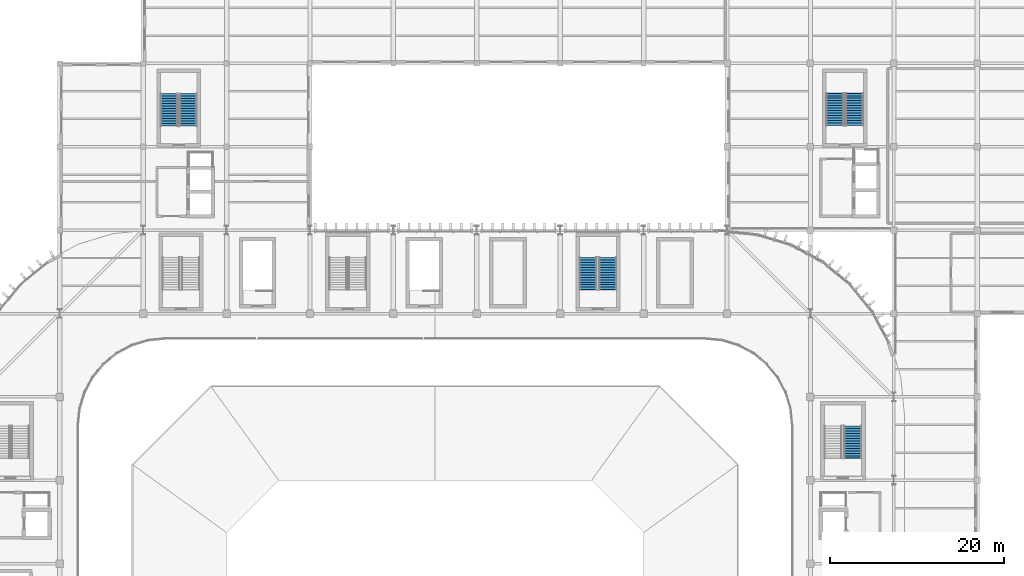
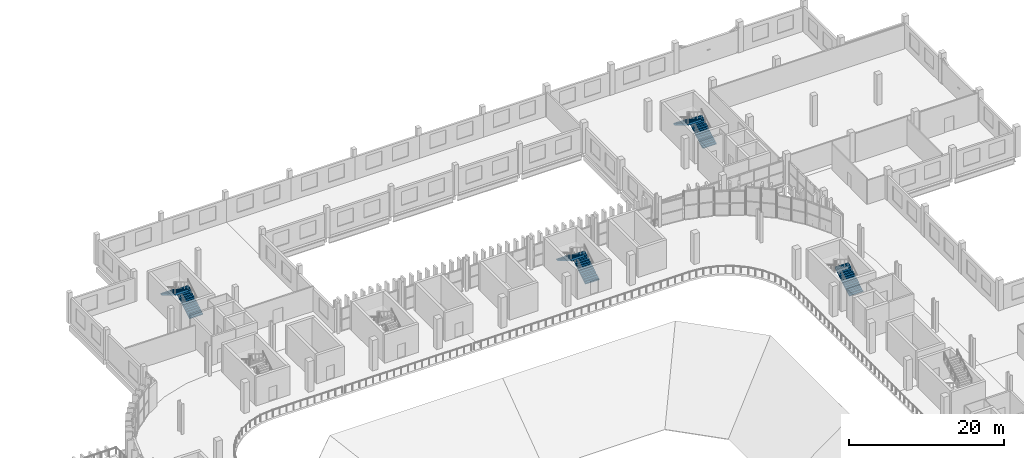
# One storey, part 71 of 99: 7 stair flights, 4 elements without a shape of their own.
"""IFC4 building model written with IfcOpenShell, lengths in metres."""

from ifc_helpers import new_model, si_unit, direction, frame, origin, place, context, subcontext, project, spatial, polyline, outline, extrude, material, type_object, element, aggregate, save


model = new_model("IFC4")

# Units and contexts
model_context = context("Model", 3, precision=1e-05, world=origin(), true_north=direction((0.0, 1.0)))
body_context = subcontext(model_context, "Body", "Model", "MODEL_VIEW")
ifc_project = project(units=[si_unit("LENGTHUNIT", "METRE"), si_unit("AREAUNIT", "SQUARE_METRE"), si_unit("VOLUMEUNIT", "CUBIC_METRE"), si_unit("PLANEANGLEUNIT", "RADIAN"), si_unit("MASSUNIT", "GRAM", prefix="KILO")], contexts=[model_context])

# Site, building, storey
site_placement = place(None, origin())
site = spatial("IfcSite", under=ifc_project, at=site_placement, CompositionType="ELEMENT")
building_placement = place(site_placement, origin())
building = spatial("IfcBuilding", under=site, at=building_placement, Name="Caelomonte Colonnade Arena", CompositionType="ELEMENT")
storey_placement = place(building_placement, frame((0.0, 0.0, 4.800048828125)))
storey = spatial("IfcBuildingStorey", under=building, at=storey_placement, Name="L01", CompositionType="ELEMENT", Elevation=4.800048828125)

# Stair, stair flights
ifc_material = material(Name="Concrete C40/50", Category="concrete")
stair_type_1 = type_object("IfcStairType", Name="INT-ST-CORE48", PredefinedType="HALF_TURN_STAIR", material=ifc_material)
stair_1_placement = place(storey_placement, origin())
stair_1 = element("IfcStair", 1, at=stair_1_placement, inside=storey, type_object=stair_type_1, Name="L01 Protected exit stair ST-16", PredefinedType="HALF_TURN_STAIR")
stair_flight_type_1 = type_object("IfcStairFlightType", Name="INT-SF-CORE48", PredefinedType="STRAIGHT", material=ifc_material)
stair_flight_1_placement = place(storey_placement, frame((130.27490234375, 108.35009765625, 0.0), z_axis=(0.0, 0.0, 1.0), x_axis=(0.0, 1.0, 0.0)))
stair_flight_1 = element("IfcStairFlight", 2, at=stair_flight_1_placement, type_object=stair_flight_type_1, Name="ST-16 flight 1", NumberOfRisers=14, NumberOfTreads=13, PredefinedType="STRAIGHT", RiserHeight=0.171428571, TreadLength=0.285, context=body_context, shape_type="SweptSolid", body=[
    extrude(outline(polyline([(-0.02490234375, 0.0), (-0.02490234375, 0.102783203125), (0.0, 0.102783203125), (0.0, 0.17138671875), (0.284912109375, 0.17138671875), (0.284912109375, 0.3427734375), (0.570068359375, 0.3427734375), (0.570068359375, 0.514404296875), (0.85498046875, 0.514404296875), (0.85498046875, 0.685791015625), (1.139892578125, 0.685791015625), (1.139892578125, 0.857177734375), (1.425048828125, 0.857177734375), (1.425048828125, 1.028564453125), (1.7099609375, 1.028564453125), (1.7099609375, 1.199951171875), (1.9951171875, 1.199951171875), (1.9951171875, 1.371337890625), (2.280029296875, 1.371337890625), (2.280029296875, 1.54296875), (2.56494140625, 1.54296875), (2.56494140625, 1.71435546875), (2.85009765625, 1.71435546875), (2.85009765625, 1.8857421875), (3.135009765625, 1.8857421875), (3.135009765625, 2.05712890625), (3.419921875, 2.05712890625), (3.419921875, 2.228515625), (3.705078125, 2.228515625), (3.705078125, 2.39990234375), (3.72998046875, 2.39990234375), (3.72998046875, 2.0537109375), (0.290771484375, 0.0), (-0.02490234375, 0.0)])), frame((0.0, 1.02490234375, 0.0), z_axis=(0.0, -1.0, 0.0), x_axis=(1.0, 0.0, 0.0)), (0.0, 0.0, 1.0), 2.050048828125),
])
stair_flight_2_placement = place(storey_placement, frame((128.02490234375, 112.054931640625, 2.39990234375), z_axis=(0.0, 0.0, 1.0), x_axis=(0.0, -1.0, 0.0)))
stair_flight_2 = element("IfcStairFlight", 3, at=stair_flight_2_placement, type_object=stair_flight_type_1, Name="ST-16 flight 2", NumberOfRisers=14, NumberOfTreads=13, PredefinedType="STRAIGHT", RiserHeight=0.171428571, TreadLength=0.285, context=body_context, shape_type="SweptSolid", body=[
    extrude(outline(polyline([(-0.02490234375, 0.0), (-0.02490234375, 0.102783203125), (0.0, 0.102783203125), (0.0, 0.17138671875), (0.284912109375, 0.17138671875), (0.284912109375, 0.3427734375), (0.570068359375, 0.3427734375), (0.570068359375, 0.514404296875), (0.85498046875, 0.514404296875), (0.85498046875, 0.685791015625), (1.139892578125, 0.685791015625), (1.139892578125, 0.857177734375), (1.425048828125, 0.857177734375), (1.425048828125, 1.028564453125), (1.7099609375, 1.028564453125), (1.7099609375, 1.199951171875), (1.9951171875, 1.199951171875), (1.9951171875, 1.371337890625), (2.280029296875, 1.371337890625), (2.280029296875, 1.54296875), (2.56494140625, 1.54296875), (2.56494140625, 1.71435546875), (2.85009765625, 1.71435546875), (2.85009765625, 1.8857421875), (3.135009765625, 1.8857421875), (3.135009765625, 2.05712890625), (3.419921875, 2.05712890625), (3.419921875, 2.228515625), (3.705078125, 2.228515625), (3.705078125, 2.39990234375), (3.72998046875, 2.39990234375), (3.72998046875, 2.0537109375), (0.290771484375, 0.0), (-0.02490234375, 0.0)])), frame((0.0, 1.02490234375, 0.0), z_axis=(0.0, -1.0, 0.0), x_axis=(1.0, 0.0, 0.0)), (0.0, 0.0, 1.0), 2.050048828125),
])
aggregate(stair_1, [stair_flight_1, stair_flight_2])

# Stair, stair flight
stair_type_2 = type_object("IfcStairType", Name="INT-ST-WING48", PredefinedType="HALF_TURN_STAIR", material=ifc_material)
stair_2_placement = place(storey_placement, origin())
stair_2 = element("IfcStair", 4, at=stair_2_placement, inside=storey, type_object=stair_type_2, Name="L01 Core C3 exit stair ST-03", PredefinedType="HALF_TURN_STAIR")
stair_flight_type_2 = type_object("IfcStairFlightType", Name="INT-SF-WING48", PredefinedType="STRAIGHT", material=ifc_material)
stair_flight_3_placement = place(storey_placement, frame((158.47509765625, 88.949951171875, 0.0), z_axis=(0.0, 0.0, 1.0), x_axis=(0.0, 1.0, 0.0)))
stair_flight_3 = element("IfcStairFlight", 5, at=stair_flight_3_placement, type_object=stair_flight_type_2, Name="ST-03 flight 1", NumberOfRisers=14, NumberOfTreads=13, PredefinedType="STRAIGHT", RiserHeight=0.171428571, TreadLength=0.285, context=body_context, shape_type="SweptSolid", body=[
    extrude(outline(polyline([(-0.02490234375, 0.0), (-0.02490234375, 0.102783203125), (0.0, 0.102783203125), (0.0, 0.17138671875), (0.284912109375, 0.17138671875), (0.284912109375, 0.3427734375), (0.570068359375, 0.3427734375), (0.570068359375, 0.514404296875), (0.85498046875, 0.514404296875), (0.85498046875, 0.685791015625), (1.139892578125, 0.685791015625), (1.139892578125, 0.857177734375), (1.425048828125, 0.857177734375), (1.425048828125, 1.028564453125), (1.7099609375, 1.028564453125), (1.7099609375, 1.199951171875), (1.9951171875, 1.199951171875), (1.9951171875, 1.371337890625), (2.280029296875, 1.371337890625), (2.280029296875, 1.54296875), (2.56494140625, 1.54296875), (2.56494140625, 1.71435546875), (2.85009765625, 1.71435546875), (2.85009765625, 1.8857421875), (3.135009765625, 1.8857421875), (3.135009765625, 2.05712890625), (3.419921875, 2.05712890625), (3.419921875, 2.228515625), (3.705078125, 2.228515625), (3.705078125, 2.39990234375), (3.72998046875, 2.39990234375), (3.72998046875, 2.0537109375), (0.290771484375, 0.0), (-0.02490234375, 0.0)])), frame((0.0, 1.02490234375, 0.0), z_axis=(0.0, -1.0, 0.0), x_axis=(1.0, 0.0, 0.0)), (0.0, 0.0, 1.0), 2.050048828125),
])
aggregate(stair_2, [stair_flight_3])

# Stair, stair flights
stair_3_placement = place(storey_placement, origin())
stair_3 = element("IfcStair", 6, at=stair_3_placement, inside=storey, type_object=stair_type_2, Name="L01 Core C6 exit stair ST-06", PredefinedType="HALF_TURN_STAIR")
stair_flight_4_placement = place(storey_placement, frame((158.675048828125, 127.25, 0.0), z_axis=(0.0, 0.0, 1.0), x_axis=(0.0, 1.0, 0.0)))
stair_flight_4 = element("IfcStairFlight", 7, at=stair_flight_4_placement, type_object=stair_flight_type_2, Name="ST-06 flight 1", NumberOfRisers=14, NumberOfTreads=13, PredefinedType="STRAIGHT", RiserHeight=0.171428571, TreadLength=0.285, context=body_context, shape_type="SweptSolid", body=[
    extrude(outline(polyline([(-0.02490234375, 0.0), (-0.02490234375, 0.102783203125), (0.0, 0.102783203125), (0.0, 0.17138671875), (0.284912109375, 0.17138671875), (0.284912109375, 0.3427734375), (0.570068359375, 0.3427734375), (0.570068359375, 0.514404296875), (0.85498046875, 0.514404296875), (0.85498046875, 0.685791015625), (1.139892578125, 0.685791015625), (1.139892578125, 0.857177734375), (1.425048828125, 0.857177734375), (1.425048828125, 1.028564453125), (1.7099609375, 1.028564453125), (1.7099609375, 1.199951171875), (1.9951171875, 1.199951171875), (1.9951171875, 1.371337890625), (2.280029296875, 1.371337890625), (2.280029296875, 1.54296875), (2.56494140625, 1.54296875), (2.56494140625, 1.71435546875), (2.85009765625, 1.71435546875), (2.85009765625, 1.8857421875), (3.135009765625, 1.8857421875), (3.135009765625, 2.05712890625), (3.419921875, 2.05712890625), (3.419921875, 2.228515625), (3.705078125, 2.228515625), (3.705078125, 2.39990234375), (3.72998046875, 2.39990234375), (3.72998046875, 2.0537109375), (0.290771484375, 0.0), (-0.02490234375, 0.0)])), frame((0.0, 1.02490234375, 0.0), z_axis=(0.0, -1.0, 0.0), x_axis=(1.0, 0.0, 0.0)), (0.0, 0.0, 1.0), 2.050048828125),
])
stair_flight_5_placement = place(storey_placement, frame((156.425048828125, 130.955078125, 2.39990234375), z_axis=(0.0, 0.0, 1.0), x_axis=(0.0, -1.0, 0.0)))
stair_flight_5 = element("IfcStairFlight", 8, at=stair_flight_5_placement, type_object=stair_flight_type_2, Name="ST-06 flight 2", NumberOfRisers=14, NumberOfTreads=13, PredefinedType="STRAIGHT", RiserHeight=0.171428571, TreadLength=0.285, context=body_context, shape_type="SweptSolid", body=[
    extrude(outline(polyline([(-0.02490234375, 0.0), (-0.02490234375, 0.102783203125), (0.0, 0.102783203125), (0.0, 0.17138671875), (0.284912109375, 0.17138671875), (0.284912109375, 0.3427734375), (0.570068359375, 0.3427734375), (0.570068359375, 0.514404296875), (0.85498046875, 0.514404296875), (0.85498046875, 0.685791015625), (1.139892578125, 0.685791015625), (1.139892578125, 0.857177734375), (1.425048828125, 0.857177734375), (1.425048828125, 1.028564453125), (1.7099609375, 1.028564453125), (1.7099609375, 1.199951171875), (1.9951171875, 1.199951171875), (1.9951171875, 1.371337890625), (2.280029296875, 1.371337890625), (2.280029296875, 1.54296875), (2.56494140625, 1.54296875), (2.56494140625, 1.71435546875), (2.85009765625, 1.71435546875), (2.85009765625, 1.8857421875), (3.135009765625, 1.8857421875), (3.135009765625, 2.05712890625), (3.419921875, 2.05712890625), (3.419921875, 2.228515625), (3.705078125, 2.228515625), (3.705078125, 2.39990234375), (3.72998046875, 2.39990234375), (3.72998046875, 2.0537109375), (0.290771484375, 0.0), (-0.02490234375, 0.0)])), frame((0.0, 1.02490234375, 0.0), z_axis=(0.0, -1.0, 0.0), x_axis=(1.0, 0.0, 0.0)), (0.0, 0.0, 1.0), 2.050048828125),
])
aggregate(stair_3, [stair_flight_4, stair_flight_5])

stair_4_placement = place(storey_placement, origin())
stair_4 = element("IfcStair", 9, at=stair_4_placement, inside=storey, type_object=stair_type_2, Name="L01 Core C7 exit stair ST-07", PredefinedType="HALF_TURN_STAIR")
stair_flight_6_placement = place(storey_placement, frame((82.0, 127.199951171875, 0.0), z_axis=(0.0, 0.0, 1.0), x_axis=(0.0, 1.0, 0.0)))
stair_flight_6 = element("IfcStairFlight", 10, at=stair_flight_6_placement, type_object=stair_flight_type_2, Name="ST-07 flight 1", NumberOfRisers=14, NumberOfTreads=13, PredefinedType="STRAIGHT", RiserHeight=0.171428571, TreadLength=0.285, context=body_context, shape_type="SweptSolid", body=[
    extrude(outline(polyline([(-0.02490234375, 0.0), (-0.02490234375, 0.102783203125), (0.0, 0.102783203125), (0.0, 0.17138671875), (0.284912109375, 0.17138671875), (0.284912109375, 0.3427734375), (0.570068359375, 0.3427734375), (0.570068359375, 0.514404296875), (0.85498046875, 0.514404296875), (0.85498046875, 0.685791015625), (1.139892578125, 0.685791015625), (1.139892578125, 0.857177734375), (1.425048828125, 0.857177734375), (1.425048828125, 1.028564453125), (1.7099609375, 1.028564453125), (1.7099609375, 1.199951171875), (1.9951171875, 1.199951171875), (1.9951171875, 1.371337890625), (2.280029296875, 1.371337890625), (2.280029296875, 1.54296875), (2.56494140625, 1.54296875), (2.56494140625, 1.71435546875), (2.85009765625, 1.71435546875), (2.85009765625, 1.8857421875), (3.135009765625, 1.8857421875), (3.135009765625, 2.05712890625), (3.419921875, 2.05712890625), (3.419921875, 2.228515625), (3.705078125, 2.228515625), (3.705078125, 2.39990234375), (3.72998046875, 2.39990234375), (3.72998046875, 2.0537109375), (0.290771484375, 0.0), (-0.02490234375, 0.0)])), frame((0.0, 1.0, 0.0), z_axis=(0.0, -1.0, 0.0), x_axis=(1.0, 0.0, 0.0)), (0.0, 0.0, 1.0), 2.0),
])
stair_flight_7_placement = place(storey_placement, frame((79.800048828125, 130.905029296875, 2.39990234375), z_axis=(0.0, 0.0, 1.0), x_axis=(0.0, -1.0, 0.0)))
stair_flight_7 = element("IfcStairFlight", 11, at=stair_flight_7_placement, type_object=stair_flight_type_2, Name="ST-07 flight 2", NumberOfRisers=14, NumberOfTreads=13, PredefinedType="STRAIGHT", RiserHeight=0.171428571, TreadLength=0.285, context=body_context, shape_type="SweptSolid", body=[
    extrude(outline(polyline([(-0.02490234375, 0.0), (-0.02490234375, 0.102783203125), (0.0, 0.102783203125), (0.0, 0.17138671875), (0.284912109375, 0.17138671875), (0.284912109375, 0.3427734375), (0.570068359375, 0.3427734375), (0.570068359375, 0.514404296875), (0.85498046875, 0.514404296875), (0.85498046875, 0.685791015625), (1.139892578125, 0.685791015625), (1.139892578125, 0.857177734375), (1.425048828125, 0.857177734375), (1.425048828125, 1.028564453125), (1.7099609375, 1.028564453125), (1.7099609375, 1.199951171875), (1.9951171875, 1.199951171875), (1.9951171875, 1.371337890625), (2.280029296875, 1.371337890625), (2.280029296875, 1.54296875), (2.56494140625, 1.54296875), (2.56494140625, 1.71435546875), (2.85009765625, 1.71435546875), (2.85009765625, 1.8857421875), (3.135009765625, 1.8857421875), (3.135009765625, 2.05712890625), (3.419921875, 2.05712890625), (3.419921875, 2.228515625), (3.705078125, 2.228515625), (3.705078125, 2.39990234375), (3.72998046875, 2.39990234375), (3.72998046875, 2.0537109375), (0.290771484375, 0.0), (-0.02490234375, 0.0)])), frame((0.0, 1.0, 0.0), z_axis=(0.0, -1.0, 0.0), x_axis=(1.0, 0.0, 0.0)), (0.0, 0.0, 1.0), 2.0),
])
aggregate(stair_4, [stair_flight_6, stair_flight_7])

save(model, "model.ifc")
